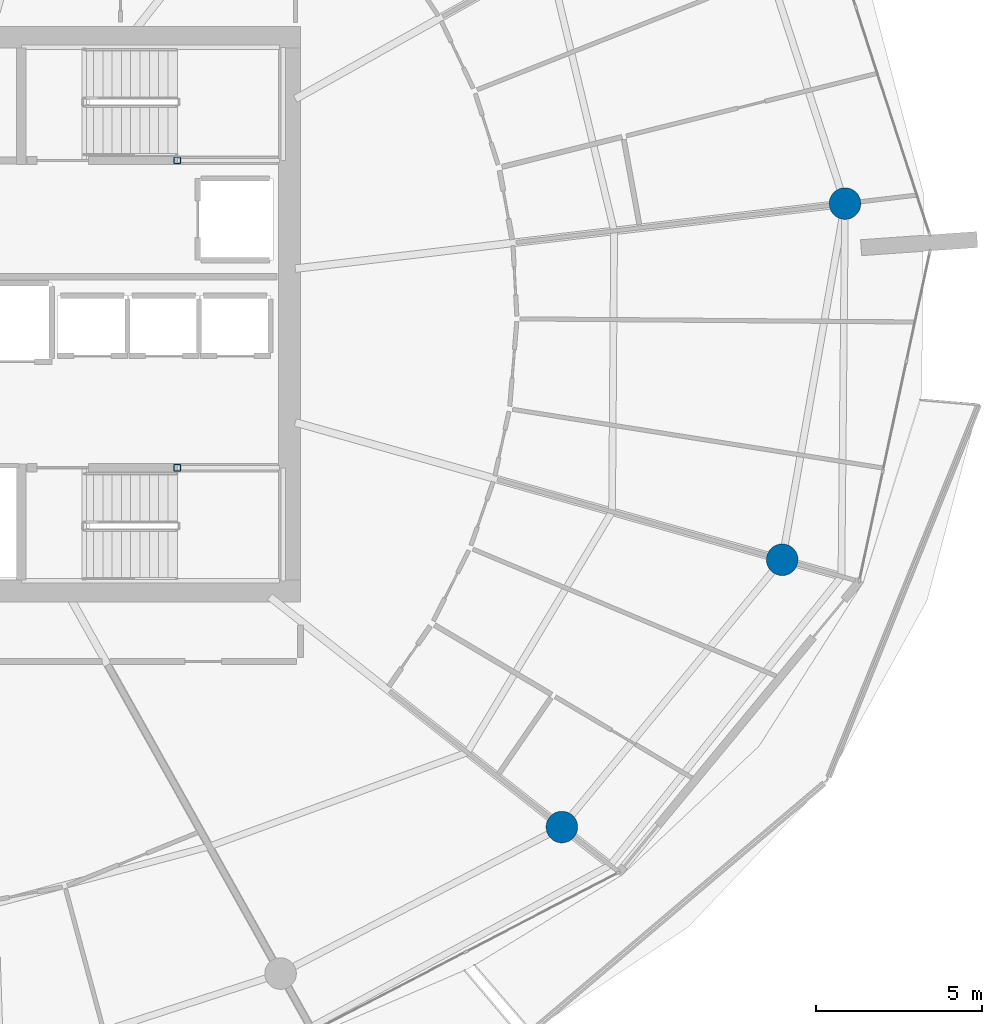
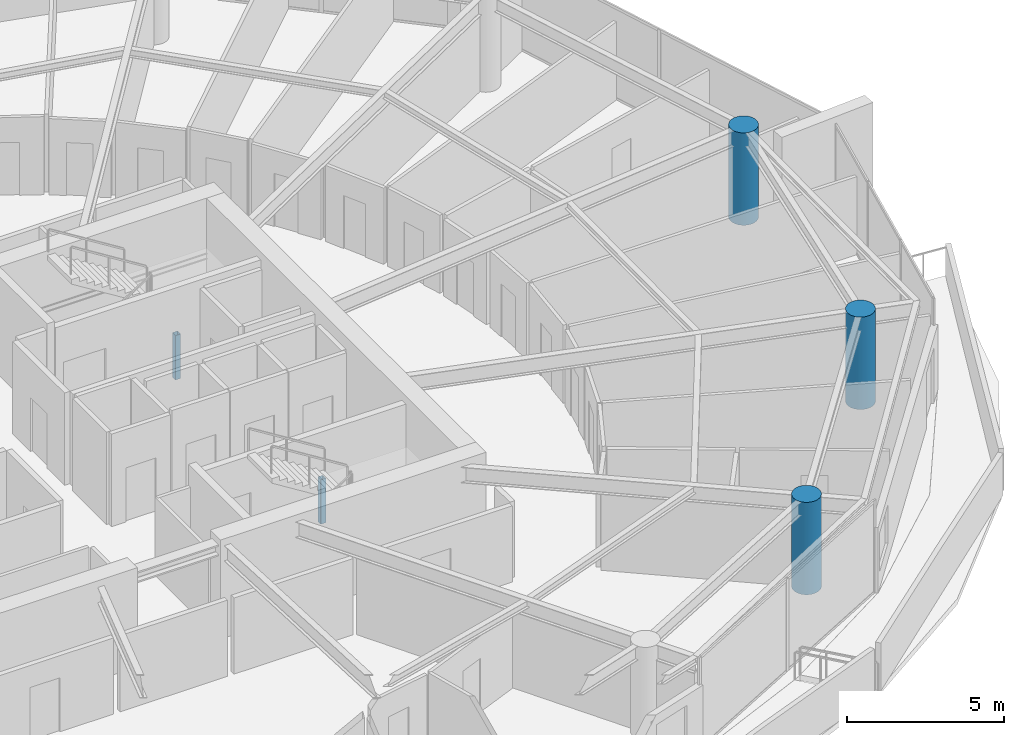
# One storey, part 3 of 30: 5 columns.
"""IFC4 building model written with IfcOpenShell, lengths in metres."""

from ifc_helpers import new_model, si_unit, direction, frame, origin, origin_2d, place, context, subcontext, project, spatial, hollow_rectangle, circle, extrude, material, material_profile, profile_set, type_object, element, save


model = new_model("IFC4")

# Units and contexts
model_context = context("Model", 3, precision=1e-05, world=origin(), true_north=direction((0.0, 1.0)))
body_context = subcontext(model_context, "Body", "Model", "MODEL_VIEW")
ifc_project = project(units=[si_unit("LENGTHUNIT", "METRE"), si_unit("AREAUNIT", "SQUARE_METRE"), si_unit("VOLUMEUNIT", "CUBIC_METRE"), si_unit("PLANEANGLEUNIT", "RADIAN"), si_unit("MASSUNIT", "GRAM", prefix="KILO")], contexts=[model_context])

# Site, building, storey
site_placement = place(None, origin())
site = spatial("IfcSite", under=ifc_project, at=site_placement, CompositionType="ELEMENT")
building_placement = place(site_placement, origin())
building = spatial("IfcBuilding", under=site, at=building_placement, Name="Kazma Halo Residences", CompositionType="ELEMENT")
storey_placement = place(building_placement, frame((0.0, 0.0, 255.949951171875)))
storey = spatial("IfcBuildingStorey", under=building, at=storey_placement, Name="L64", CompositionType="ELEMENT", Elevation=255.949951171875)

# Columns
ifc_material_1 = material(Name="Steel S355", Category="steel")
ifc_material_profile_1 = material_profile(ifc_material_1, hollow_rectangle(XDim=0.199951171875, YDim=0.199951171875, WallThickness=0.010009765625, InnerFilletRadius=0.010009765625, OuterFilletRadius=0.02001953125, at=origin_2d()), Name="SHS200x200x10")
ifc_profile_set_1 = profile_set([ifc_material_profile_1], Name="Steel S355")
column_type_1 = type_object("IfcColumnType", Name="COL-LP-SHS200", PredefinedType="COLUMN", material=ifc_profile_set_1)
for number, where, z_axis, x_axis, name in (
    (1, (56.0, 46.6201171875, 0.0), (0.0, 0.0, 1.0), (1.0, 0.0, 0.0), "L64 ST-02 landing pilaster 1"),
    (2, (56.0, 37.3798828125, 0.0), (0.0, 0.0, 1.0), (1.0, 0.0, 0.0), "L64 ST-03 landing pilaster 1"),
):
    element("IfcColumn", number, at=place(storey_placement, frame(where, z_axis=z_axis, x_axis=x_axis)), inside=storey, type_object=column_type_1, Name=name, PredefinedType="COLUMN", context=body_context, shape_type="SweptSolid", body=[
        extrude(hollow_rectangle(XDim=0.199951171875, YDim=0.199951171875, WallThickness=0.010009765625, InnerFilletRadius=0.010009765625, OuterFilletRadius=0.02001953125, at=origin_2d()), origin(), (0.0, 0.0, 1.0), 1.719970703125),
    ])
ifc_material_2 = material(Name="Concrete C60/75", Category="concrete")
ifc_material_profile_2 = material_profile(ifc_material_2, circle(Radius=0.47509765625, at=origin_2d()), Name="CIRC950")
ifc_profile_set_2 = profile_set([ifc_material_profile_2], Name="Concrete C60/75")
column_type_2 = type_object("IfcColumnType", Name="COL-PERIM-950", PredefinedType="COLUMN", material=ifc_profile_set_2)
for number, where, z_axis, x_axis, name in (
    (3, (67.566162109375, 26.5751953125, 0.0), (0.0, 0.0, 1.0), (1.0, 0.0, 0.0), "L64 perimeter ring column P14"),
    (4, (74.19091796875, 34.61328125, 0.0), (0.0, 0.0, 1.0), (1.0, 0.0, 0.0), "L64 perimeter ring column P15"),
    (5, (76.07958984375, 45.323486328125, 0.0), (0.0, 0.0, 1.0), (1.0, 0.0, 0.0), "L64 perimeter ring column P16"),
):
    element("IfcColumn", number, at=place(storey_placement, frame(where, z_axis=z_axis, x_axis=x_axis)), inside=storey, type_object=column_type_2, Name=name, PredefinedType="COLUMN", context=body_context, shape_type="SweptSolid", body=[
        extrude(circle(Radius=0.47509765625, at=origin_2d()), origin(), (0.0, 0.0, 1.0), 3.590087890625),
    ])

save(model, "model.ifc")
